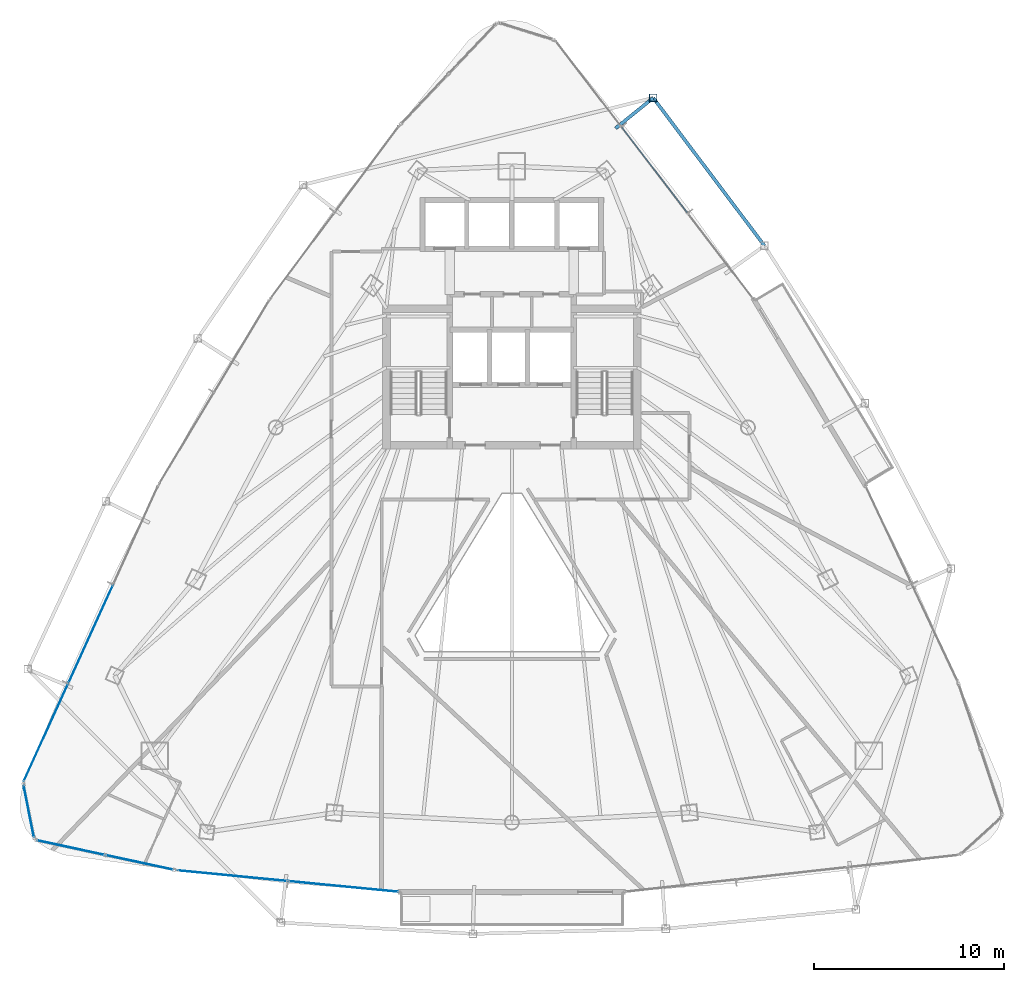
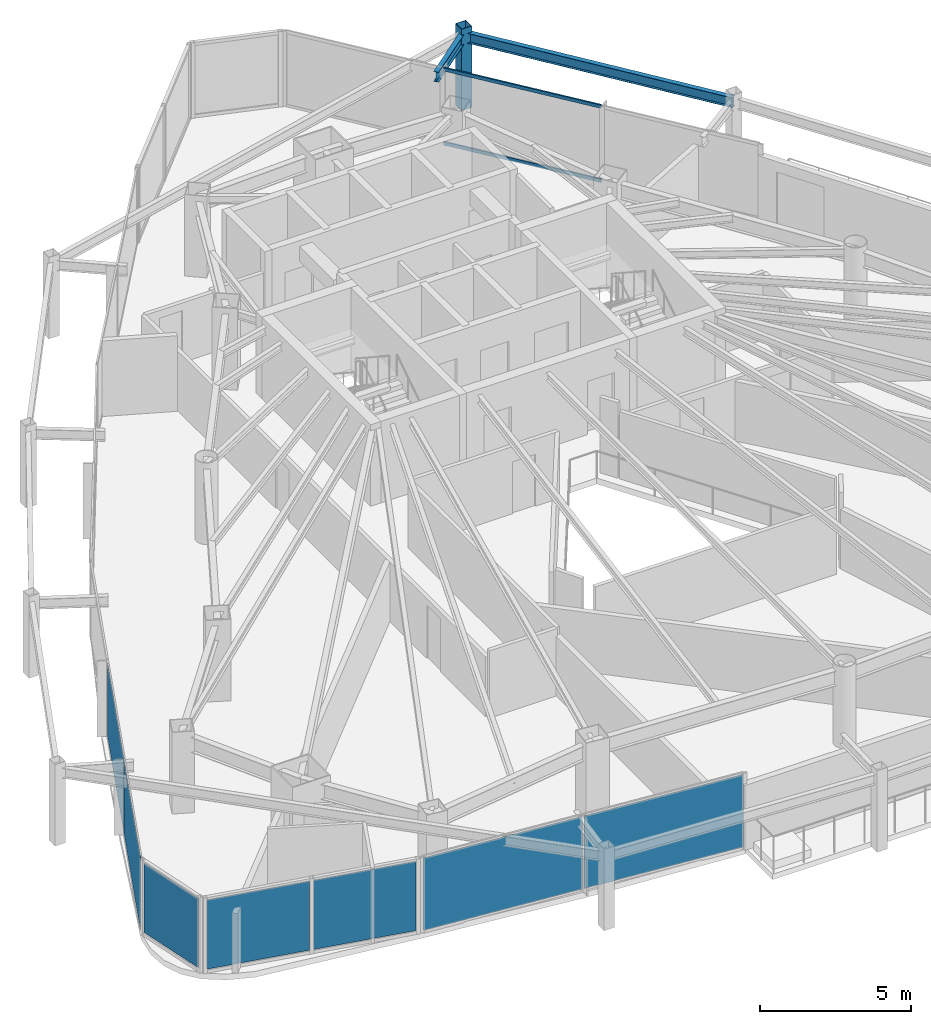
# One storey, part 25 of 31: 7 plates, 3 members, 2 beams, 5 elements without a shape of their own.
"""IFC4 building model written with IfcOpenShell, lengths in metres."""

from ifc_helpers import new_model, si_unit, direction, frame, origin, origin_2d, place, context, subcontext, project, spatial, rectangle, hollow_rectangle, i_section, extrude, material, layer, layer_set, material_profile, profile_set, type_object, element, aggregate, save


model = new_model("IFC4")

# Units and contexts
model_context = context("Model", 3, precision=1e-05, world=origin(), true_north=direction((0.0, 1.0)))
body_context = subcontext(model_context, "Body", "Model", "MODEL_VIEW")
ifc_project = project(units=[si_unit("LENGTHUNIT", "METRE"), si_unit("AREAUNIT", "SQUARE_METRE"), si_unit("VOLUMEUNIT", "CUBIC_METRE"), si_unit("PLANEANGLEUNIT", "RADIAN"), si_unit("MASSUNIT", "GRAM", prefix="KILO")], contexts=[model_context])

# Site, building, storey
site_placement = place(None, origin())
site = spatial("IfcSite", under=ifc_project, at=site_placement, CompositionType="ELEMENT")
building_placement = place(site_placement, origin())
building = spatial("IfcBuilding", under=site, at=building_placement, Name="Orvanel Arch Residences", CompositionType="ELEMENT")
storey_placement = place(building_placement, frame((0.0, 0.0, 126.5)))
storey = spatial("IfcBuildingStorey", under=building, at=storey_placement, Name="L35", CompositionType="ELEMENT", Elevation=126.5)

# Beams
ifc_material_1 = material(Name="Structural steel AS/NZS 3679.1 Grade 300 (300 MPa)", Category="steel")
ifc_material_profile_1 = material_profile(ifc_material_1, i_section(OverallWidth=0.177978515625, OverallDepth=0.406005859375, WebThickness=0.0078125, FlangeThickness=0.0126953125, at=origin_2d()), Name="410UB59.7")
ifc_profile_set_1 = profile_set([ifc_material_profile_1], Name="Structural steel AS/NZS 3679.1 Grade 300 (300 MPa)")
beam_type = type_object("IfcBeamType", Name="OB-410UB-EXT", PredefinedType="SPANDREL", material=ifc_profile_set_1)
beam_1_placement = place(storey_placement, frame((46.300048828125, 37.208984375, 2.85693359375), z_axis=(-0.601138021359, 0.79914521789, 0.0), x_axis=(-0.79914521789, -0.601138021359, 0.0)))
element("IfcBeam", 1, at=beam_1_placement, inside=storey, type_object=beam_type, Name="L35 Outer Perimeter Floor Ring Beam 11", PredefinedType="SPANDREL", context=body_context, shape_type="SweptSolid", body=[
    extrude(i_section(OverallWidth=0.177978515625, OverallDepth=0.406005859375, WebThickness=0.0078125, FlangeThickness=0.0126953125, at=origin_2d()), origin(), (0.0, 0.0, 1.0), 9.7431640625),
])
beam_2_placement = place(storey_placement, frame((38.4619140625, 43.388916015625, 2.85693359375), z_axis=(0.776789919197, 0.629759812495, 0.0), x_axis=(-0.629759812495, 0.776789919197, 0.0)))
element("IfcBeam", 2, at=beam_2_placement, inside=storey, type_object=beam_type, Name="L35 Outer Frame Radial Tie Beam 12", PredefinedType="SPANDREL", context=body_context, shape_type="SweptSolid", body=[
    extrude(i_section(OverallWidth=0.177978515625, OverallDepth=0.406005859375, WebThickness=0.0078125, FlangeThickness=0.0126953125, at=origin_2d()), origin(), (0.0, 0.0, 1.0), 2.550537109375),
])

# Member
ifc_material_2 = material(Name="Structural steel AS/NZS 1163 C450L0 (Grade 450)", Category="steel")
ifc_material_profile_2 = material_profile(ifc_material_2, hollow_rectangle(XDim=0.39990234375, YDim=0.39990234375, WallThickness=0.01611328125, at=origin_2d()), Name="SHS400x400x16")
ifc_profile_set_2 = profile_set([ifc_material_profile_2], Name="Structural steel AS/NZS 1163 C450L0 (Grade 450)")
member_type_1 = type_object("IfcMemberType", Name="ST-400SHS-EXT", PredefinedType="STRUT", material=ifc_profile_set_2)
member_1_placement = place(storey_placement, frame((40.443115234375, 44.9951171875, 0.0), z_axis=(0.0, 0.0, 1.0), x_axis=(1.0, 0.0, 0.0)))
element("IfcMember", 3, at=member_1_placement, inside=storey, type_object=member_type_1, Name="L35 Outer Perimeter Frame Post 12", PredefinedType="STRUT", context=body_context, shape_type="SweptSolid", body=[
    extrude(hollow_rectangle(XDim=0.39990234375, YDim=0.39990234375, WallThickness=0.01611328125, at=origin_2d()), origin(), (0.0, 0.0, 1.0), 3.300048828125),
])

# Curtain wall, members
ifc_material_3 = material(Name="Bronze-anodised aluminium AA6063-T6", Category="aluminium")
ifc_layer_1 = layer(ifc_material_3, 0.179931640625)
ifc_layer_set_1 = layer_set([ifc_layer_1], Name="Bronze-anodised aluminium AA6063-T6")
curtain_wall_type_1 = type_object("IfcCurtainWallType", Name="CW3-MID-SYS", PredefinedType="NOTDEFINED", material=ifc_layer_set_1)
curtain_wall_1_placement = place(storey_placement, origin())
curtain_wall_1 = element("IfcCurtainWall", 4, at=curtain_wall_1_placement, inside=storey, type_object=curtain_wall_type_1, Name="L35 CW3-MID-SYS Unitised Curtain Wall", PredefinedType="NOTDEFINED")
ifc_material_profile_3 = material_profile(ifc_material_3, hollow_rectangle(XDim=0.06005859375, YDim=0.135009765625, WallThickness=0.00390625, at=origin_2d()), Name="ALU135x60x4")
ifc_profile_set_3 = profile_set([ifc_material_profile_3], Name="Bronze-anodised aluminium AA6063-T6")
member_type_2 = type_object("IfcMemberType", Name="TRN-135x60", PredefinedType="USERDEFINED", material=ifc_profile_set_3)
member_2_placement = place(storey_placement, frame((42.231689453125, 38.95849609375, 0.030029296875), z_axis=(-0.60833632632, 0.793679352182, 0.0), x_axis=(-0.793679352182, -0.60833632632, 0.0)))
member_2 = element("IfcMember", 5, at=member_2_placement, type_object=member_type_2, Name="CW-S3 transom 2.1", ObjectType="TRANSOM", PredefinedType="USERDEFINED", context=body_context, shape_type="SweptSolid", body=[
    extrude(hollow_rectangle(XDim=0.06005859375, YDim=0.135009765625, WallThickness=0.00390625, at=origin_2d()), origin(), (0.0, 0.0, 1.0), 5.65234375),
])
member_3_placement = place(storey_placement, frame((42.231689453125, 38.95849609375, 3.030029296875), z_axis=(-0.60833632632, 0.793679352182, 0.0), x_axis=(-0.793679352182, -0.60833632632, 0.0)))
member_3 = element("IfcMember", 6, at=member_3_placement, type_object=member_type_2, Name="CW-S3 transom 2.2", ObjectType="TRANSOM", PredefinedType="USERDEFINED", context=body_context, shape_type="SweptSolid", body=[
    extrude(hollow_rectangle(XDim=0.06005859375, YDim=0.135009765625, WallThickness=0.00390625, at=origin_2d()), origin(), (0.0, 0.0, 1.0), 5.65234375),
])
aggregate(curtain_wall_1, [member_2, member_3])

# Curtain wall, plates
curtain_wall_2_placement = place(storey_placement, origin())
curtain_wall_2 = element("IfcCurtainWall", 7, at=curtain_wall_2_placement, inside=storey, type_object=curtain_wall_type_1, Name="L35 CW3-MID-SYS Unitised Curtain Wall", PredefinedType="NOTDEFINED")
ifc_material_4 = material(Name="Double-glazed solar-control low-E safety glass", Category="glass")
ifc_layer_2 = layer(ifc_material_4, 0.028076171875)
ifc_layer_set_2 = layer_set([ifc_layer_2], Name="Double-glazed solar-control low-E safety glass")
plate_type_1 = type_object("IfcPlateType", Name="PNL-GLZ-28", PredefinedType="CURTAIN_PANEL", material=ifc_layer_set_2)
plate_1_placement = place(storey_placement, frame((10.830078125, 16.7666015625, 0.06005859375), z_axis=(0.0, 0.0, 1.0), x_axis=(-0.413895098306, -0.91032458365, 0.0)))
plate_1 = element("IfcPlate", 8, at=plate_1_placement, type_object=plate_type_1, Name="CW-S3 panel 2.1", PredefinedType="CURTAIN_PANEL", context=body_context, shape_type="SweptSolid", body=[
    extrude(rectangle(XDim=5.65283203125, YDim=0.028076171875, at=origin_2d()), origin(), (0.0, 0.0, 1.0), 2.93994140625),
])
plate_2_placement = place(storey_placement, frame((8.468505859375, 11.57275390625, 0.06005859375), z_axis=(0.0, 0.0, 1.0), x_axis=(-0.413895098306, -0.91032458365, 0.0)))
plate_2 = element("IfcPlate", 9, at=plate_2_placement, type_object=plate_type_1, Name="CW-S3 panel 3.1", PredefinedType="CURTAIN_PANEL", context=body_context, shape_type="SweptSolid", body=[
    extrude(rectangle(XDim=5.617919921875, YDim=0.028076171875, at=origin_2d()), origin(), (0.0, 0.0, 1.0), 2.93994140625),
])
aggregate(curtain_wall_2, [plate_1, plate_2])

curtain_wall_3_placement = place(storey_placement, origin())
curtain_wall_3 = element("IfcCurtainWall", 10, at=curtain_wall_3_placement, inside=storey, type_object=curtain_wall_type_1, Name="L35 CW3-MID-SYS Unitised Curtain Wall", PredefinedType="NOTDEFINED")
plate_3_placement = place(storey_placement, frame((18.290771484375, 4.038818359375, 0.06005859375), z_axis=(0.0, 0.0, 1.0), x_axis=(0.995341887649, -0.096408125648, 0.0)))
plate_3 = element("IfcPlate", 11, at=plate_3_placement, type_object=plate_type_1, Name="CW-S3 panel 1.1", PredefinedType="CURTAIN_PANEL", context=body_context, shape_type="SweptSolid", body=[
    extrude(rectangle(XDim=5.796875, YDim=0.028076171875, at=origin_2d()), origin(), (0.0, 0.0, 1.0), 2.93994140625),
])
plate_4_placement = place(storey_placement, frame((24.13037109375, 3.47314453125, 0.06005859375), z_axis=(0.0, 0.0, 1.0), x_axis=(0.995341887649, -0.096408125648, 0.0)))
plate_4 = element("IfcPlate", 12, at=plate_4_placement, type_object=plate_type_1, Name="CW-S3 panel 2.1", PredefinedType="CURTAIN_PANEL", context=body_context, shape_type="SweptSolid", body=[
    extrude(rectangle(XDim=5.796875, YDim=0.028076171875, at=origin_2d()), origin(), (0.0, 0.0, 1.0), 2.93994140625),
])
aggregate(curtain_wall_3, [plate_3, plate_4])

# Curtain wall, plate
ifc_layer_3 = layer(ifc_material_3, 0.18994140625)
ifc_layer_set_3 = layer_set([ifc_layer_3], Name="Bronze-anodised aluminium AA6063-T6")
curtain_wall_type_2 = type_object("IfcCurtainWallType", Name="CW5-CRN-SYS", PredefinedType="NOTDEFINED", material=ifc_layer_set_3)
curtain_wall_4_placement = place(storey_placement, origin())
curtain_wall_4 = element("IfcCurtainWall", 13, at=curtain_wall_4_placement, inside=storey, type_object=curtain_wall_type_2, Name="L35 CW5-CRN-SYS Unitised Curtain Wall", PredefinedType="NOTDEFINED")
ifc_layer_4 = layer(ifc_material_4, 0.031982421875)
ifc_layer_set_4 = layer_set([ifc_layer_4], Name="Double-glazed solar-control low-E safety glass")
plate_type_2 = type_object("IfcPlateType", Name="PNL-GLZ-32", PredefinedType="CURTAIN_PANEL", material=ifc_layer_set_4)
plate_5_placement = place(storey_placement, frame((7.569091796875, 7.431396484375, 0.1298828125), z_axis=(0.0, 0.0, 1.0), x_axis=(0.195798105544, -0.980644227977, 0.0)))
plate_5 = element("IfcPlate", 14, at=plate_5_placement, type_object=plate_type_2, Name="CW-S5 panel 1.1", PredefinedType="CURTAIN_PANEL", context=body_context, shape_type="SweptSolid", body=[
    extrude(rectangle(XDim=2.7236328125, YDim=0.031982421875, at=origin_2d()), origin(), (0.0, 0.0, 1.0), 2.800048828125),
])
aggregate(curtain_wall_4, [plate_5])

# Curtain wall, plates
curtain_wall_5_placement = place(storey_placement, origin())
curtain_wall_5 = element("IfcCurtainWall", 15, at=curtain_wall_5_placement, inside=storey, type_object=curtain_wall_type_2, Name="L35 CW5-CRN-SYS Unitised Curtain Wall", PredefinedType="NOTDEFINED")
plate_6_placement = place(storey_placement, frame((9.77734375, 5.5185546875, 0.1298828125), z_axis=(0.0, 0.0, 1.0), x_axis=(0.977618546728, -0.210385306266, 0.0)))
plate_6 = element("IfcPlate", 16, at=plate_6_placement, type_object=plate_type_2, Name="CW-S5 panel 1.1", PredefinedType="CURTAIN_PANEL", context=body_context, shape_type="SweptSolid", body=[
    extrude(rectangle(XDim=3.563232421875, YDim=0.031982421875, at=origin_2d()), origin(), (0.0, 0.0, 1.0), 2.800048828125),
])
plate_7_placement = place(storey_placement, frame((13.407470703125, 4.7373046875, 0.1298828125), z_axis=(0.0, 0.0, 1.0), x_axis=(0.977618546728, -0.210385306266, 0.0)))
plate_7 = element("IfcPlate", 17, at=plate_7_placement, type_object=plate_type_2, Name="CW-S5 panel 2.1", PredefinedType="CURTAIN_PANEL", context=body_context, shape_type="SweptSolid", body=[
    extrude(rectangle(XDim=3.563232421875, YDim=0.031982421875, at=origin_2d()), origin(), (0.0, 0.0, 1.0), 2.800048828125),
])
aggregate(curtain_wall_5, [plate_6, plate_7])

save(model, "model.ifc")
